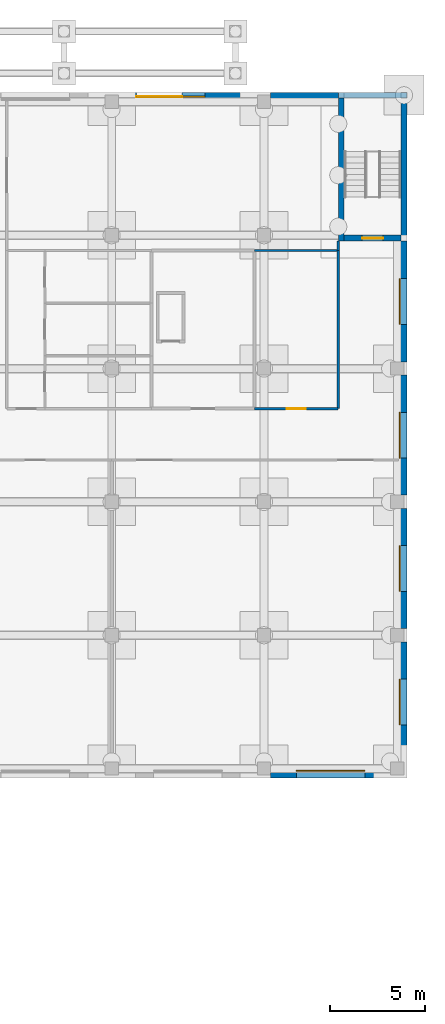
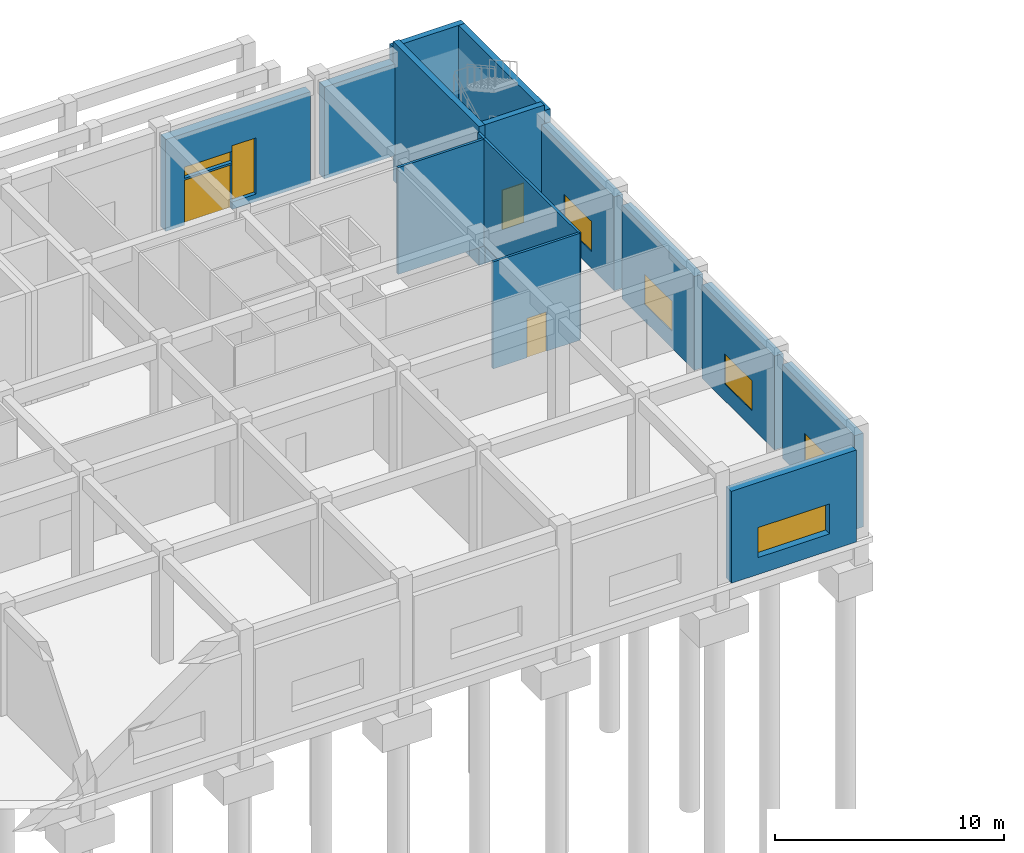
# One storey, part 43 of 51: 15 walls, 7 windows, 3 doors, 10 openings.
"""IFC4 building model written with IfcOpenShell, lengths in metres."""

from ifc_helpers import new_model, si_unit, direction, frame, frame_2d, origin, place, context, subcontext, project, spatial, rectangle, extrude, material, layer, layer_set, type_object, element, fill, save


model = new_model("IFC4")

# Units and contexts
model_context = context("Model", 3, precision=1e-05, world=origin(), true_north=direction((0.0, 1.0)))
body_context = subcontext(model_context, "Body", "Model", "MODEL_VIEW")
ifc_project = project(units=[si_unit("LENGTHUNIT", "METRE"), si_unit("AREAUNIT", "SQUARE_METRE"), si_unit("VOLUMEUNIT", "CUBIC_METRE"), si_unit("PLANEANGLEUNIT", "RADIAN"), si_unit("MASSUNIT", "GRAM", prefix="KILO")], contexts=[model_context])

# Site, building, storey
site_placement = place(None, origin())
site = spatial("IfcSite", under=ifc_project, at=site_placement, CompositionType="ELEMENT")
building_placement = place(site_placement, origin())
building = spatial("IfcBuilding", under=site, at=building_placement, Name="Elmora Arch Market Hall", CompositionType="ELEMENT")
storey_placement = place(building_placement, origin())
storey = spatial("IfcBuildingStorey", under=building, at=storey_placement, Name="L00", CompositionType="ELEMENT", Elevation=0.0)

# Walls
ifc_material_1 = material(Name="Concrete C40/50", Category="concrete")
ifc_layer_1 = layer(ifc_material_1, 0.300048828125)
ifc_layer_set_1 = layer_set([ifc_layer_1], Name="Concrete C40/50")
wall_type_1 = type_object("IfcWallType", Name="Board-marked concrete wall 300", PredefinedType="SOLIDWALL", material=ifc_layer_set_1)
wall_1_placement = place(storey_placement, frame((130.39990234375, 165.85009765625, 0.0), z_axis=(0.0, 0.0, 1.0), x_axis=(1.0, 0.0, 0.0)))
element("IfcWall", 1, at=wall_1_placement, inside=storey, type_object=wall_type_1, Name="School stair wall N L00 2", PredefinedType="SOLIDWALL", context=body_context, shape_type="SweptSolid", body=[
    extrude(rectangle(XDim=3.60009765625, YDim=0.300048828125, at=frame_2d((1.800048828125, 0.0))), origin(), (0.0, 0.0, 1.0), 5.699951171875),
])
wall_2_placement = place(storey_placement, frame((133.85009765625, 165.699951171875, 0.0), z_axis=(0.0, 0.0, 1.0), x_axis=(0.0, -1.0, 0.0)))
element("IfcWall", 2, at=wall_2_placement, inside=storey, type_object=wall_type_1, Name="School stair wall E L00 1", PredefinedType="SOLIDWALL", context=body_context, shape_type="SweptSolid", body=[
    extrude(rectangle(XDim=7.5, YDim=0.300048828125, at=frame_2d((3.75, 0.0))), origin(), (0.0, 0.0, 1.0), 5.699951171875),
])

# Wall, opening, window
ifc_material_2 = material(Name="Concrete C40/50", Category="concrete")
ifc_layer_2 = layer(ifc_material_2, 0.449951171875)
ifc_layer_set_2 = layer_set([ifc_layer_2], Name="Concrete C40/50")
wall_type_2 = type_object("IfcWallType", Name="Board-marked concrete wall 450", PredefinedType="SOLIDWALL", material=ifc_layer_set_2)
wall_3_placement = place(storey_placement, frame((133.14990234375, 130.22509765625, 0.0), z_axis=(0.0, 0.0, 1.0), x_axis=(-1.0, 0.0, 0.0)))
wall_3 = element("IfcWall", 3, at=wall_3_placement, inside=storey, type_object=wall_type_2, Name="School facade wall S L00 6", PredefinedType="SOLIDWALL", context=body_context, shape_type="SweptSolid", body=[
    extrude(rectangle(XDim=6.2998046875, YDim=0.449951171875, at=frame_2d((3.14990234375, 0.0))), origin(), (0.0, 0.0, 1.0), 4.89990234375),
])
opening_1_placement = place(wall_3_placement, frame((1.35009765625, 0.0, 0.89990234375)))
opening_1 = element("IfcOpeningElement", 4, at=opening_1_placement, cuts=wall_3, Name="Opening WB1", PredefinedType="OPENING", context=body_context, shape_type="SweptSolid", body=[
    extrude(rectangle(XDim=3.60009765625, YDim=1.60009765625, at=frame_2d((1.800048828125, 0.800048828125))), frame((0.0, 0.23486328125, 0.0), z_axis=(0.0, -1.0, 0.0), x_axis=(1.0, 0.0, 0.0)), (0.0, 0.0, 1.0), 0.469970703125),
])
ifc_material_3 = material(Name="Aluminium", Category="aluminium")
window_type_1 = type_object("IfcWindowType", Name="School band window 3600x1600", PartitioningType="SINGLE_PANEL", PredefinedType="WINDOW", material=ifc_material_3)
window_1_placement = place(opening_1_placement, origin())
window_1 = element("IfcWindow", 5, at=window_1_placement, inside=storey, type_object=window_type_1, Name="Window WB1 L00 S71", OverallHeight=1.60009765625, OverallWidth=3.60009765625, PartitioningType="SINGLE_PANEL", PredefinedType="WINDOW", context=body_context, shape_type="SweptSolid", body=[
    extrude(rectangle(XDim=3.60009765625, YDim=1.60009765625, at=frame_2d((1.800048828125, 0.800048828125))), frame((0.0, -0.125, 0.0), z_axis=(0.0, -1.0, 0.0), x_axis=(1.0, 0.0, 0.0)), (0.0, 0.0, 1.0), 0.06005859375),
])
fill(opening_1, window_1)

# Wall, openings, door, windows
wall_4_placement = place(storey_placement, frame((118.85009765625, 165.77490234375, 0.0), z_axis=(0.0, 0.0, 1.0), x_axis=(1.0, 0.0, 0.0)))
wall_4 = element("IfcWall", 6, at=wall_4_placement, inside=storey, type_object=wall_type_2, Name="School facade wall N L00 7", PredefinedType="SOLIDWALL", context=body_context, shape_type="SweptSolid", body=[
    extrude(rectangle(XDim=7.2998046875, YDim=0.449951171875, at=frame_2d((3.64990234375, 0.0))), origin(), (0.0, 0.0, 1.0), 4.89990234375),
])
opening_2_placement = place(wall_4_placement, frame((0.949951171875, 0.0, 0.0)))
opening_2 = element("IfcOpeningElement", 7, at=opening_2_placement, cuts=wall_4, Name="Opening EX-SCH-N3", PredefinedType="OPENING", context=body_context, shape_type="SweptSolid", body=[
    extrude(rectangle(XDim=2.39990234375, YDim=2.39990234375, at=frame_2d((1.199951171875, 1.199951171875))), frame((0.0, 0.23486328125, 0.0), z_axis=(0.0, -1.0, 0.0), x_axis=(1.0, 0.0, 0.0)), (0.0, 0.0, 1.0), 0.469970703125),
])
opening_3_placement = place(wall_4_placement, frame((0.949951171875, 0.0, 2.5)))
opening_3 = element("IfcOpeningElement", 8, at=opening_3_placement, cuts=wall_4, Name="Opening WK5", PredefinedType="OPENING", context=body_context, shape_type="SweptSolid", body=[
    extrude(rectangle(XDim=2.39990234375, YDim=0.60009765625, at=frame_2d((1.199951171875, 0.300048828125))), frame((0.0, 0.23486328125, 0.0), z_axis=(0.0, -1.0, 0.0), x_axis=(1.0, 0.0, 0.0)), (0.0, 0.0, 1.0), 0.469970703125),
])
opening_4_placement = place(wall_4_placement, frame((3.35009765625, 0.0, 0.39990234375)))
opening_4 = element("IfcOpeningElement", 9, at=opening_4_placement, cuts=wall_4, Name="Opening WK4", PredefinedType="OPENING", context=body_context, shape_type="SweptSolid", body=[
    extrude(rectangle(XDim=1.199951171875, YDim=3.0, at=frame_2d((0.60009765625, 1.5))), frame((0.0, 0.23486328125, 0.0), z_axis=(0.0, -1.0, 0.0), x_axis=(1.0, 0.0, 0.0)), (0.0, 0.0, 1.0), 0.469970703125),
])
ifc_material_4 = material(Name="Glazed aluminium", Category="aluminium")
door_type_1 = type_object("IfcDoorType", Name="School entrance door 2400x2400", OperationType="DOUBLE_DOOR_DOUBLE_SWING", PredefinedType="DOOR", material=ifc_material_4)
door_1_placement = place(opening_2_placement, origin())
door_1 = element("IfcDoor", 10, at=door_1_placement, inside=storey, type_object=door_type_1, Name="School entrance door N3", OperationType="DOUBLE_DOOR_DOUBLE_SWING", OverallHeight=2.39990234375, OverallWidth=2.39990234375, PredefinedType="DOOR", context=body_context, shape_type="SweptSolid", body=[
    extrude(rectangle(XDim=2.39990234375, YDim=2.39990234375, at=frame_2d((1.199951171875, 1.199951171875))), frame((0.0, 0.02490234375, 0.0), z_axis=(0.0, -1.0, 0.0), x_axis=(1.0, 0.0, 0.0)), (0.0, 0.0, 1.0), 0.050048828125),
])
fill(opening_2, door_1)
ifc_material_5 = material(Name="Aluminium", Category="aluminium")
window_type_2 = type_object("IfcWindowType", Name="School entrance fanlight 2400x600", PartitioningType="SINGLE_PANEL", PredefinedType="WINDOW", material=ifc_material_5)
window_2_placement = place(opening_3_placement, origin())
window_2 = element("IfcWindow", 11, at=window_2_placement, inside=storey, type_object=window_type_2, Name="Window WK5 L00 N78", OverallHeight=0.60009765625, OverallWidth=2.39990234375, PartitioningType="SINGLE_PANEL", PredefinedType="WINDOW", context=body_context, shape_type="SweptSolid", body=[
    extrude(rectangle(XDim=2.39990234375, YDim=0.60009765625, at=frame_2d((1.199951171875, 0.300048828125))), frame((0.0, 0.025146484375, 0.0), z_axis=(0.0, -1.0, 0.0), x_axis=(1.0, 0.0, 0.0)), (0.0, 0.0, 1.0), 0.06005859375),
])
fill(opening_3, window_2)
ifc_material_6 = material(Name="Aluminium", Category="aluminium")
window_type_3 = type_object("IfcWindowType", Name="School entrance light 1200x3000", PartitioningType="SINGLE_PANEL", PredefinedType="WINDOW", material=ifc_material_6)
window_3_placement = place(opening_4_placement, origin())
window_3 = element("IfcWindow", 12, at=window_3_placement, inside=storey, type_object=window_type_3, Name="Window WK4 L00 N79", OverallHeight=3.0, OverallWidth=1.199951171875, PartitioningType="SINGLE_PANEL", PredefinedType="WINDOW", context=body_context, shape_type="SweptSolid", body=[
    extrude(rectangle(XDim=1.199951171875, YDim=3.0, at=frame_2d((0.60009765625, 1.5))), frame((0.0, 0.025146484375, 0.0), z_axis=(0.0, -1.0, 0.0), x_axis=(1.0, 0.0, 0.0)), (0.0, 0.0, 1.0), 0.06005859375),
])
fill(opening_4, window_3)

# Wall
wall_5_placement = place(storey_placement, frame((126.85009765625, 165.77490234375, 0.0), z_axis=(0.0, 0.0, 1.0), x_axis=(1.0, 0.0, 0.0)))
element("IfcWall", 13, at=wall_5_placement, inside=storey, type_object=wall_type_2, Name="School facade wall N L00 8", PredefinedType="SOLIDWALL", context=body_context, shape_type="SweptSolid", body=[
    extrude(rectangle(XDim=3.5498046875, YDim=0.449951171875, at=frame_2d((1.77490234375, 0.0))), origin(), (0.0, 0.0, 1.0), 4.89990234375),
])

# Wall, opening, window
wall_6_placement = place(storey_placement, frame((133.77490234375, 137.14990234375, 0.0), z_axis=(0.0, 0.0, 1.0), x_axis=(0.0, -1.0, 0.0)))
wall_6 = element("IfcWall", 14, at=wall_6_placement, inside=storey, type_object=wall_type_2, Name="School facade wall E L00 2", PredefinedType="SOLIDWALL", context=body_context, shape_type="SweptSolid", body=[
    extrude(rectangle(XDim=6.2998046875, YDim=0.449951171875, at=frame_2d((3.14990234375, 0.0))), origin(), (0.0, 0.0, 1.0), 5.0),
])
opening_5_placement = place(wall_6_placement, frame((1.949951171875, 0.0, 0.89990234375)))
opening_5 = element("IfcOpeningElement", 15, at=opening_5_placement, cuts=wall_6, Name="Opening WB2", PredefinedType="OPENING", context=body_context, shape_type="SweptSolid", body=[
    extrude(rectangle(XDim=2.39990234375, YDim=1.60009765625, at=frame_2d((1.199951171875, 0.800048828125))), frame((0.0, 0.23486328125, 0.0), z_axis=(0.0, -1.0, 0.0), x_axis=(1.0, 0.0, 0.0)), (0.0, 0.0, 1.0), 0.469970703125),
])
ifc_material_7 = material(Name="Aluminium", Category="aluminium")
window_type_4 = type_object("IfcWindowType", Name="School end band window 2400x1600", PartitioningType="SINGLE_PANEL", PredefinedType="WINDOW", material=ifc_material_7)
window_4_placement = place(opening_5_placement, origin())
window_4 = element("IfcWindow", 16, at=window_4_placement, inside=storey, type_object=window_type_4, Name="Window WB2 L00 E83", OverallHeight=1.60009765625, OverallWidth=2.39990234375, PartitioningType="SINGLE_PANEL", PredefinedType="WINDOW", context=body_context, shape_type="SweptSolid", body=[
    extrude(rectangle(XDim=2.39990234375, YDim=1.60009765625, at=frame_2d((1.199951171875, 0.800048828125))), frame((0.0, -0.125, 0.0), z_axis=(0.0, -1.0, 0.0), x_axis=(1.0, 0.0, 0.0)), (0.0, 0.0, 1.0), 0.06005859375),
])
fill(opening_5, window_4)

wall_7_placement = place(storey_placement, frame((133.77490234375, 144.14990234375, 0.0), z_axis=(0.0, 0.0, 1.0), x_axis=(0.0, -1.0, 0.0)))
wall_7 = element("IfcWall", 17, at=wall_7_placement, inside=storey, type_object=wall_type_2, Name="School facade wall E L00 3", PredefinedType="SOLIDWALL", context=body_context, shape_type="SweptSolid", body=[
    extrude(rectangle(XDim=6.2998046875, YDim=0.449951171875, at=frame_2d((3.14990234375, 0.0))), origin(), (0.0, 0.0, 1.0), 5.0),
])
opening_6_placement = place(wall_7_placement, frame((1.949951171875, 0.0, 0.89990234375)))
opening_6 = element("IfcOpeningElement", 18, at=opening_6_placement, cuts=wall_7, Name="Opening WB2", PredefinedType="OPENING", context=body_context, shape_type="SweptSolid", body=[
    extrude(rectangle(XDim=2.39990234375, YDim=1.60009765625, at=frame_2d((1.199951171875, 0.800048828125))), frame((0.0, 0.23486328125, 0.0), z_axis=(0.0, -1.0, 0.0), x_axis=(1.0, 0.0, 0.0)), (0.0, 0.0, 1.0), 0.469970703125),
])
window_5_placement = place(opening_6_placement, origin())
window_5 = element("IfcWindow", 19, at=window_5_placement, inside=storey, type_object=window_type_4, Name="Window WB2 L00 E84", OverallHeight=1.60009765625, OverallWidth=2.39990234375, PartitioningType="SINGLE_PANEL", PredefinedType="WINDOW", context=body_context, shape_type="SweptSolid", body=[
    extrude(rectangle(XDim=2.39990234375, YDim=1.60009765625, at=frame_2d((1.199951171875, 0.800048828125))), frame((0.0, -0.125, 0.0), z_axis=(0.0, -1.0, 0.0), x_axis=(1.0, 0.0, 0.0)), (0.0, 0.0, 1.0), 0.06005859375),
])
fill(opening_6, window_5)

wall_8_placement = place(storey_placement, frame((133.77490234375, 151.14990234375, 0.0), z_axis=(0.0, 0.0, 1.0), x_axis=(0.0, -1.0, 0.0)))
wall_8 = element("IfcWall", 20, at=wall_8_placement, inside=storey, type_object=wall_type_2, Name="School facade wall E L00 4", PredefinedType="SOLIDWALL", context=body_context, shape_type="SweptSolid", body=[
    extrude(rectangle(XDim=6.2998046875, YDim=0.449951171875, at=frame_2d((3.14990234375, 0.0))), origin(), (0.0, 0.0, 1.0), 5.0),
])
opening_7_placement = place(wall_8_placement, frame((1.949951171875, 0.0, 0.89990234375)))
opening_7 = element("IfcOpeningElement", 21, at=opening_7_placement, cuts=wall_8, Name="Opening WB2", PredefinedType="OPENING", context=body_context, shape_type="SweptSolid", body=[
    extrude(rectangle(XDim=2.39990234375, YDim=1.60009765625, at=frame_2d((1.199951171875, 0.800048828125))), frame((0.0, 0.23486328125, 0.0), z_axis=(0.0, -1.0, 0.0), x_axis=(1.0, 0.0, 0.0)), (0.0, 0.0, 1.0), 0.469970703125),
])
window_6_placement = place(opening_7_placement, origin())
window_6 = element("IfcWindow", 22, at=window_6_placement, inside=storey, type_object=window_type_4, Name="Window WB2 L00 E85", OverallHeight=1.60009765625, OverallWidth=2.39990234375, PartitioningType="SINGLE_PANEL", PredefinedType="WINDOW", context=body_context, shape_type="SweptSolid", body=[
    extrude(rectangle(XDim=2.39990234375, YDim=1.60009765625, at=frame_2d((1.199951171875, 0.800048828125))), frame((0.0, -0.125, 0.0), z_axis=(0.0, -1.0, 0.0), x_axis=(1.0, 0.0, 0.0)), (0.0, 0.0, 1.0), 0.06005859375),
])
fill(opening_7, window_6)

wall_9_placement = place(storey_placement, frame((133.77490234375, 158.199951171875, 0.0), z_axis=(0.0, 0.0, 1.0), x_axis=(0.0, -1.0, 0.0)))
wall_9 = element("IfcWall", 23, at=wall_9_placement, inside=storey, type_object=wall_type_2, Name="School facade wall E L00 5", PredefinedType="SOLIDWALL", context=body_context, shape_type="SweptSolid", body=[
    extrude(rectangle(XDim=6.349853515625, YDim=0.449951171875, at=frame_2d((3.1748046875, 0.0))), origin(), (0.0, 0.0, 1.0), 5.0),
])
opening_8_placement = place(wall_9_placement, frame((1.97509765625, 0.0, 0.89990234375)))
opening_8 = element("IfcOpeningElement", 24, at=opening_8_placement, cuts=wall_9, Name="Opening WB2", PredefinedType="OPENING", context=body_context, shape_type="SweptSolid", body=[
    extrude(rectangle(XDim=2.39990234375, YDim=1.60009765625, at=frame_2d((1.199951171875, 0.800048828125))), frame((0.0, 0.23486328125, 0.0), z_axis=(0.0, -1.0, 0.0), x_axis=(1.0, 0.0, 0.0)), (0.0, 0.0, 1.0), 0.469970703125),
])
window_7_placement = place(opening_8_placement, origin())
window_7 = element("IfcWindow", 25, at=window_7_placement, inside=storey, type_object=window_type_4, Name="Window WB2 L00 E86", OverallHeight=1.60009765625, OverallWidth=2.39990234375, PartitioningType="SINGLE_PANEL", PredefinedType="WINDOW", context=body_context, shape_type="SweptSolid", body=[
    extrude(rectangle(XDim=2.39990234375, YDim=1.60009765625, at=frame_2d((1.199951171875, 0.800048828125))), frame((0.0, -0.125, 0.0), z_axis=(0.0, -1.0, 0.0), x_axis=(1.0, 0.0, 0.0)), (0.0, 0.0, 1.0), 0.06005859375),
])
fill(opening_8, window_7)

# Wall, opening, door
ifc_material_8 = material(Name="Gypsum board on metal studs")
ifc_layer_3 = layer(ifc_material_8, 0.125)
ifc_layer_set_3 = layer_set([ifc_layer_3], Name="Gypsum board on metal studs")
wall_type_3 = type_object("IfcWallType", Name="Partition 125 EI 60", PredefinedType="PARTITIONING", material=ifc_layer_set_3)
wall_10_placement = place(storey_placement, frame((126.0, 149.39990234375, 0.0), z_axis=(0.0, 0.0, 1.0), x_axis=(1.0, 0.0, 0.0)))
wall_10 = element("IfcWall", 26, at=wall_10_placement, inside=storey, type_object=wall_type_3, Name="Partition PT-L00-122", PredefinedType="PARTITIONING", context=body_context, shape_type="SweptSolid", body=[
    extrude(rectangle(XDim=4.389892578125, YDim=0.125, at=frame_2d((2.19482421875, 0.0))), origin(), (0.0, 0.0, 1.0), 5.699951171875),
])
opening_9_placement = place(wall_10_placement, frame((1.699951171875, 0.0, 0.0)))
opening_9 = element("IfcOpeningElement", 27, at=opening_9_placement, cuts=wall_10, Name="Opening D-L00-105", PredefinedType="OPENING", context=body_context, shape_type="SweptSolid", body=[
    extrude(rectangle(XDim=1.0, YDim=2.10009765625, at=frame_2d((0.5, 1.050048828125))), frame((0.0, 0.072509765625, 0.0), z_axis=(0.0, -1.0, 0.0), x_axis=(1.0, 0.0, 0.0)), (0.0, 0.0, 1.0), 0.14501953125),
])
ifc_material_9 = material(Name="Steel ASTM A653 galvanised", Category="steel")
door_type_2 = type_object("IfcDoorType", Name="Door 1000 x 2100 FD45", OperationType="SINGLE_SWING_LEFT", PredefinedType="DOOR", material=ifc_material_9)
door_2_placement = place(opening_9_placement, origin())
door_2 = element("IfcDoor", 28, at=door_2_placement, inside=storey, type_object=door_type_2, Name="D-L00-105", OperationType="SINGLE_SWING_LEFT", OverallHeight=2.10009765625, OverallWidth=1.0, PredefinedType="DOOR", context=body_context, shape_type="SweptSolid", body=[
    extrude(rectangle(XDim=1.0, YDim=2.10009765625, at=frame_2d((0.5, 1.050048828125))), frame((0.0, 0.02490234375, 0.0), z_axis=(0.0, -1.0, 0.0), x_axis=(1.0, 0.0, 0.0)), (0.0, 0.0, 1.0), 0.050048828125),
])
fill(opening_9, door_2)

# Walls
wall_11_placement = place(storey_placement, frame((126.0, 157.699951171875, 0.0), z_axis=(0.0, 0.0, 1.0), x_axis=(1.0, 0.0, 0.0)))
element("IfcWall", 29, at=wall_11_placement, inside=storey, type_object=wall_type_3, Name="Partition PT-L00-129", PredefinedType="PARTITIONING", context=body_context, shape_type="SweptSolid", body=[
    extrude(rectangle(XDim=4.33740234375, YDim=0.125, at=frame_2d((2.168701171875, 0.0))), origin(), (0.0, 0.0, 1.0), 5.699951171875),
])
wall_12_placement = place(storey_placement, frame((130.39990234375, 149.409912109375, 0.0), z_axis=(0.0, 0.0, 1.0), x_axis=(0.0, 1.0, 0.0)))
element("IfcWall", 30, at=wall_12_placement, inside=storey, type_object=wall_type_3, Name="Partition PT-L00-259", PredefinedType="PARTITIONING", context=body_context, shape_type="SweptSolid", body=[
    extrude(rectangle(XDim=8.2900390625, YDim=0.125, at=frame_2d((4.14501953125, 0.0))), origin(), (0.0, 0.0, 1.0), 5.699951171875),
])
wall_13_placement = place(storey_placement, frame((130.39990234375, 157.699951171875, 0.0), z_axis=(0.0, 0.0, 1.0), x_axis=(0.0, 1.0, 0.0)))
element("IfcWall", 31, at=wall_13_placement, inside=storey, type_object=wall_type_3, Name="Partition PT-L00-260", PredefinedType="PARTITIONING", context=body_context, shape_type="SweptSolid", body=[
    extrude(rectangle(XDim=0.5, YDim=0.125, at=frame_2d((0.25, 0.0))), origin(), (0.0, 0.0, 1.0), 5.699951171875),
])

# Wall, opening, door
ifc_material_10 = material(Name="Concrete C40/50", Category="concrete")
ifc_layer_4 = layer(ifc_material_10, 0.300048828125)
ifc_layer_set_4 = layer_set([ifc_layer_4], Name="Concrete C40/50")
wall_type_4 = type_object("IfcWallType", Name="Stair wall 300", PredefinedType="SHEAR", material=ifc_layer_set_4)
wall_14_placement = place(storey_placement, frame((130.699951171875, 158.35009765625, -1.39990234375), z_axis=(0.0, 0.0, 1.0), x_axis=(1.0, 0.0, 0.0)))
wall_14 = element("IfcWall", 32, at=wall_14_placement, inside=storey, type_object=wall_type_4, Name="Stair wall ST-SCE S L00", PredefinedType="SHEAR", context=body_context, shape_type="SweptSolid", body=[
    extrude(rectangle(XDim=3.0, YDim=0.300048828125, at=frame_2d((1.5, 0.0))), origin(), (0.0, 0.0, 1.0), 7.39990234375),
])
opening_10_placement = place(wall_14_placement, frame((0.949951171875, 0.0, 1.39990234375)))
opening_10 = element("IfcOpeningElement", 33, at=opening_10_placement, cuts=wall_14, Name="Opening ST-SCE-L00", PredefinedType="OPENING", context=body_context, shape_type="SweptSolid", body=[
    extrude(rectangle(XDim=1.10009765625, YDim=2.10009765625, at=frame_2d((0.550048828125, 1.050048828125))), frame((0.0, 0.159912109375, 0.0), z_axis=(0.0, -1.0, 0.0), x_axis=(1.0, 0.0, 0.0)), (0.0, 0.0, 1.0), 0.320068359375),
])
ifc_material_11 = material(Name="Steel ASTM A653 galvanised", Category="steel")
door_type_3 = type_object("IfcDoorType", Name="Stair door 1100 x 2100 FD90", OperationType="SINGLE_SWING_LEFT", PredefinedType="DOOR", material=ifc_material_11)
door_3_placement = place(opening_10_placement, origin())
door_3 = element("IfcDoor", 34, at=door_3_placement, inside=storey, type_object=door_type_3, Name="Stair door ST-SCE L00", OperationType="SINGLE_SWING_LEFT", OverallHeight=2.10009765625, OverallWidth=1.10009765625, PredefinedType="DOOR", context=body_context, shape_type="SweptSolid", body=[
    extrude(rectangle(XDim=1.10009765625, YDim=2.10009765625, at=frame_2d((0.550048828125, 1.050048828125))), frame((0.0, 0.02490234375, 0.0), z_axis=(0.0, -1.0, 0.0), x_axis=(1.0, 0.0, 0.0)), (0.0, 0.0, 1.0), 0.050048828125),
])
fill(opening_10, door_3)

# Wall
wall_15_placement = place(storey_placement, frame((130.550048828125, 158.199951171875, -1.39990234375), z_axis=(0.0, 0.0, 1.0), x_axis=(0.0, 1.0, 0.0)))
element("IfcWall", 35, at=wall_15_placement, inside=storey, type_object=wall_type_4, Name="Stair wall ST-SCE W L00", PredefinedType="SHEAR", context=body_context, shape_type="SweptSolid", body=[
    extrude(rectangle(XDim=7.5, YDim=0.300048828125, at=frame_2d((3.75, 0.0))), origin(), (0.0, 0.0, 1.0), 7.39990234375),
])

save(model, "model.ifc")
